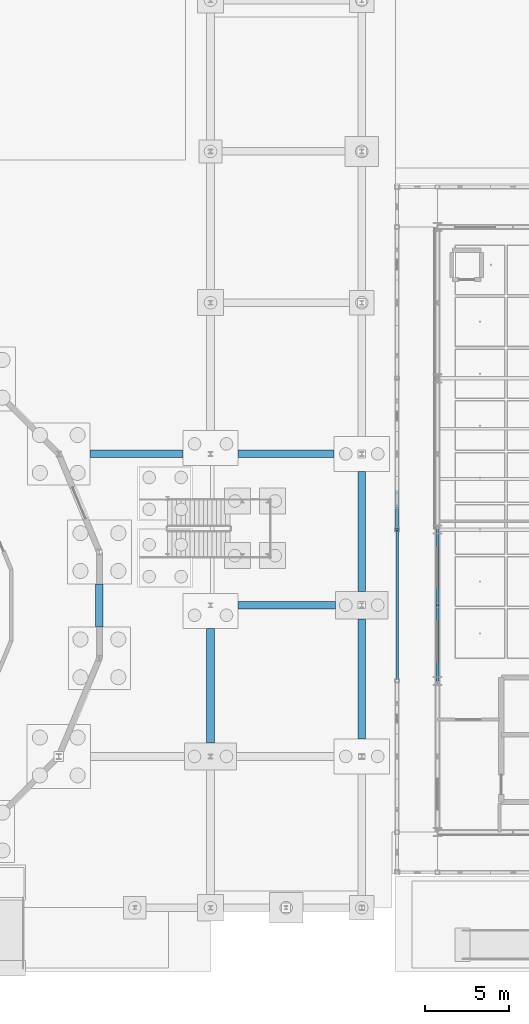
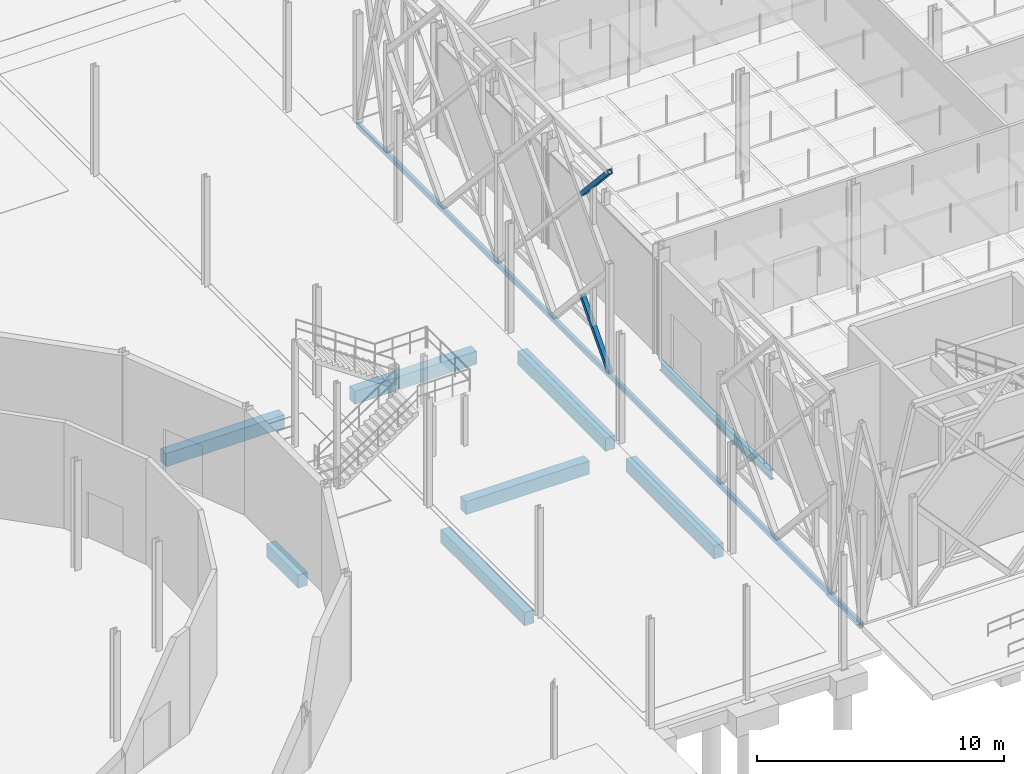
# One storey, part 30 of 180: 10 beams, 2 members.
"""IFC4 building model written with IfcOpenShell, lengths in metres."""

import ifcopenshell
import ifcopenshell.guid

model = None  # the IFC model being written
_history = None  # IfcOwnerHistory: only IFC2X3 demands one
_inside = {}  # id of a spatial element -> (the spatial element, [elements in it])
_under = {}  # id of a project, library or spatial element -> (it, [spatial elements below it])
_declared = {}  # id of a project -> (the project, [libraries it declares])
_typed = {}  # id of a type object -> (the type object, [elements of that type])
_made_of = {}  # id of a material, layer set ... -> (it, [elements and type objects made of it])


def new_model(schema):
    """Start an empty IFC model of exactly this schema.

    Asked for "IFC4X3", IfcOpenShell would pick the latest addendum, in which some entities
    have other attributes; the version numbers below select the first issue.
    IFC2X3 requires an IfcOwnerHistory on every rooted entity: one is made here for all.
    """
    global model, _history
    if schema == "IFC4X3":
        model = ifcopenshell.file(schema_version=(4, 3, 0, 0))
    else:
        model = ifcopenshell.file(schema=schema)
    _inside.clear()
    _under.clear()
    _declared.clear()
    _typed.clear()
    _made_of.clear()
    _history = None
    if model.schema == "IFC2X3":
        org = make("IfcOrganization", Name="unknown")
        user = make(
            "IfcPersonAndOrganization",
            ThePerson=make("IfcPerson", FamilyName="unknown"),
            TheOrganization=org,
        )
        app = make(
            "IfcApplication",
            ApplicationDeveloper=org,
            Version="unknown",
            ApplicationFullName="unknown",
            ApplicationIdentifier="unknown",
        )
        _history = make(
            "IfcOwnerHistory",
            OwningUser=user,
            OwningApplication=app,
            ChangeAction="ADDED",
            CreationDate=0,
        )
    return model


def make(cls, **values):
    """One entity of the class cls with the attributes given. An attribute that is None is left unset."""
    return model.create_entity(
        cls, **{name: value for name, value in values.items() if value is not None}
    )


def rooted(cls, **values):
    """An entity with a GlobalId (a new one), such as an element, a storey or a relation."""
    return make(cls, GlobalId=ifcopenshell.guid.new(), OwnerHistory=_history, **values)


def si_unit(unit_type, name, prefix=None):
    """IfcSIUnit, for example si_unit("LENGTHUNIT", "METRE", prefix="MILLI")."""
    return make("IfcSIUnit", UnitType=unit_type, Prefix=prefix, Name=name)


def assignment(units):
    """IfcUnitAssignment: the units of a project."""
    return None if units is None else make("IfcUnitAssignment", Units=units)


def point(xyz):
    """IfcCartesianPoint."""
    return None if xyz is None else make("IfcCartesianPoint", Coordinates=xyz)


def direction(xyz):
    """IfcDirection."""
    return None if xyz is None else make("IfcDirection", DirectionRatios=xyz)


def frame(location, z_axis=None, x_axis=None):
    """IfcAxis2Placement3D, a coordinate frame: its origin and axes. An axis left out is left unset."""
    return make(
        "IfcAxis2Placement3D",
        Location=point(location),
        Axis=direction(z_axis),
        RefDirection=direction(x_axis),
    )


def frame_2d(location, x_axis=None):
    """IfcAxis2Placement2D, a coordinate frame in the plane: its origin and x axis."""
    return make(
        "IfcAxis2Placement2D", Location=point(location), RefDirection=direction(x_axis)
    )


def origin():
    """The frame at (0, 0, 0) with its axes left unset."""
    return frame((0.0, 0.0, 0.0))


def origin_2d():
    """The frame at (0, 0) in the plane with its x axis left unset."""
    return frame_2d((0.0, 0.0))


def place(relative_to, where):
    """IfcLocalPlacement: puts the frame where relative to a parent placement (None: the world)."""
    return make(
        "IfcLocalPlacement", PlacementRelTo=relative_to, RelativePlacement=where
    )


def context(
    kind, dimensions, precision=None, world=None, true_north=None, identifier=None
):
    """IfcGeometricRepresentationContext, for example the 3D "Model" context."""
    return make(
        "IfcGeometricRepresentationContext",
        ContextIdentifier=identifier,
        ContextType=kind,
        CoordinateSpaceDimension=dimensions,
        Precision=precision,
        WorldCoordinateSystem=world,
        TrueNorth=true_north,
    )


def subcontext(parent, identifier, kind, view, scale=None):
    """IfcGeometricRepresentationSubContext, for example "Body" below "Model"."""
    return make(
        "IfcGeometricRepresentationSubContext",
        ContextIdentifier=identifier,
        ContextType=kind,
        ParentContext=parent,
        TargetScale=scale,
        TargetView=view,
    )


def project(units=None, contexts=None):
    """IfcProject with its units and contexts."""
    return rooted(
        "IfcProject",
        Name="project",
        RepresentationContexts=contexts,
        UnitsInContext=assignment(units),
    )


def spatial(cls, under=None, at=None, **own):
    """A site, building, storey or space (cls), placed at a placement, below another one or the project."""
    s = rooted(cls, ObjectPlacement=at, **own)
    if under is not None:
        _under.setdefault(under.id(), (under, []))[1].append(s)
    return s


def profile(cls, at=None, kind="AREA", **sizes):
    """A parametric profile (cls). Its sizes go by their IFC names, for example OverallWidth=200.0."""
    return make(cls, ProfileType=kind, Position=at, **sizes)


def rectangle(**sizes):
    """IfcRectangleProfileDef."""
    return profile("IfcRectangleProfileDef", **sizes)


def hollow_rectangle(**sizes):
    """IfcRectangleHollowProfileDef."""
    return profile("IfcRectangleHollowProfileDef", **sizes)


def i_section(**sizes):
    """IfcIShapeProfileDef."""
    return profile("IfcIShapeProfileDef", **sizes)


def extrude(swept, where, along, depth):
    """IfcExtrudedAreaSolid: the profile swept, set in the frame where, extruded along a direction by depth."""
    return make(
        "IfcExtrudedAreaSolid",
        SweptArea=swept,
        Position=where,
        ExtrudedDirection=direction(along),
        Depth=depth,
    )


def shape(context_of_items, identifier, shape_type, items):
    """IfcShapeRepresentation: the items that make up one representation, for example the "Body"."""
    return make(
        "IfcShapeRepresentation",
        ContextOfItems=context_of_items,
        RepresentationIdentifier=identifier,
        RepresentationType=shape_type,
        Items=items,
    )


def material(Name=None, Category=None):
    """IfcMaterial."""
    return make("IfcMaterial", Name=Name, Category=Category)


def material_profile(
    of_material, cross_section, Name=None, Category=None, Priority=None
):
    """IfcMaterialProfile: a cross section and its material."""
    return make(
        "IfcMaterialProfile",
        Name=Name,
        Material=of_material,
        Profile=cross_section,
        Priority=Priority,
        Category=Category,
    )


def profile_set(profiles, Name=None, composite=None):
    """IfcMaterialProfileSet."""
    return make(
        "IfcMaterialProfileSet",
        Name=Name,
        MaterialProfiles=profiles,
        CompositeProfile=composite,
    )


def made_of(thing, what):
    """Note that an element or type object is made of a material, layer set ...; save() writes the relation."""
    if what is not None:
        _made_of.setdefault(what.id(), (what, []))[1].append(thing)
    return thing


def type_object(cls, material=None, **own):
    """A type object (cls), such as IfcWallType, which elements share."""
    return made_of(rooted(cls, **own), material)


def element(
    cls,
    number,
    at=None,
    inside=None,
    cuts=None,
    type_object=None,
    material=None,
    context=None,
    identifier="Body",
    shape_type=None,
    held_by="IfcProductDefinitionShape",
    body=None,
    shapes=None,
    **own,
):
    """One element of the class cls, such as IfcWall. Its Tag is "e" and its number.

    at: its placement. inside: the storey or other place that contains it. cuts: it is an
    opening in that element (IfcRelVoidsElement). A single representation is given by context,
    identifier, shape_type and body (its items); several are given by shapes. held_by: the class
    of the entity that holds the representations. save() writes the other relations.
    """
    e = rooted(cls, Tag="e%d" % number, ObjectPlacement=at, **own)
    if body is not None:
        shapes = [shape(context, identifier, shape_type, body)]
    if shapes is not None:
        e.Representation = make(held_by, Representations=shapes)
    if inside is not None:
        _inside.setdefault(inside.id(), (inside, []))[1].append(e)
    if cuts is not None:
        rooted(
            "IfcRelVoidsElement", RelatingBuildingElement=cuts, RelatedOpeningElement=e
        )
    if type_object is not None:
        _typed.setdefault(type_object.id(), (type_object, []))[1].append(e)
    return made_of(e, material)


def aggregate(whole, parts):
    """IfcRelAggregates: a whole, such as a stair, and the parts it consists of."""
    return rooted("IfcRelAggregates", RelatingObject=whole, RelatedObjects=parts)


def save(model, path):
    """Write the relations noted so far, then the file.

    IfcRelAggregates (storeys below a building ...), IfcRelContainedInSpatialStructure (elements
    in a storey), IfcRelDefinesByType, IfcRelAssociatesMaterial and IfcRelDeclares: one each for
    every whole, place, type object, material and project.
    """
    for whole, parts in _under.values():
        aggregate(whole, parts)
    for where, things in _inside.values():
        rooted(
            "IfcRelContainedInSpatialStructure",
            RelatedElements=things,
            RelatingStructure=where,
        )
    for kind, things in _typed.values():
        rooted("IfcRelDefinesByType", RelatedObjects=things, RelatingType=kind)
    for what, things in _made_of.values():
        rooted("IfcRelAssociatesMaterial", RelatedObjects=things, RelatingMaterial=what)
    for by, libraries in _declared.values():
        rooted("IfcRelDeclares", RelatingContext=by, RelatedDefinitions=libraries)
    model.write(path)


model = new_model("IFC4")

# Units and contexts
model_context = context("Model", 3, precision=1e-05, world=origin(), true_north=direction((0.0, 1.0)))
body_context = subcontext(model_context, "Body", "Model", "MODEL_VIEW")
ifc_project = project(units=[si_unit("LENGTHUNIT", "METRE"), si_unit("AREAUNIT", "SQUARE_METRE"), si_unit("VOLUMEUNIT", "CUBIC_METRE"), si_unit("PLANEANGLEUNIT", "RADIAN"), si_unit("MASSUNIT", "GRAM", prefix="KILO"), si_unit("THERMODYNAMICTEMPERATUREUNIT", "KELVIN"), si_unit("POWERUNIT", "WATT")], contexts=[model_context])

# Site, building, storey
site_placement = place(None, origin())
site = spatial("IfcSite", under=ifc_project, at=site_placement, CompositionType="ELEMENT")
building_placement = place(site_placement, origin())
building = spatial("IfcBuilding", under=site, at=building_placement, Name="Tallowbark Science Centre", CompositionType="ELEMENT")
storey_placement = place(building_placement, origin())
storey = spatial("IfcBuildingStorey", under=building, at=storey_placement, Name="L00", CompositionType="ELEMENT", Elevation=0.0)

# Beams
ifc_material_1 = material(Name="Concrete Grade N40 (40 MPa)", Category="concrete")
ifc_material_profile_1 = material_profile(ifc_material_1, rectangle(XDim=0.449951171875, YDim=0.64990234375, at=origin_2d()), Name="RC450x650")
ifc_profile_set_1 = profile_set([ifc_material_profile_1], Name="Concrete Grade N40 (40 MPa)")
beam_type_1 = type_object("IfcBeamType", Name="BM-GB2-N40", PredefinedType="BEAM", material=ifc_profile_set_1)
beam_1_placement = place(storey_placement, frame((37.81982421875, 27.000244140625, -0.5849609375), z_axis=(1.0, 0.0, 0.0), x_axis=(0.0, 1.0, 0.0)))
element("IfcBeam", 1, at=beam_1_placement, inside=storey, type_object=beam_type_1, Name="Ground Tie Beam GBT-X-237", PredefinedType="BEAM", context=body_context, shape_type="SweptSolid", body=[
    extrude(rectangle(XDim=0.449951171875, YDim=0.64990234375, at=origin_2d()), origin(), (0.0, 0.0, 1.0), 5.5302734375),
])
beam_2_placement = place(storey_placement, frame((46.64990234375, 27.0, -0.5849609375), z_axis=(1.0, 0.0, 0.0), x_axis=(0.0, 1.0, 0.0)))
element("IfcBeam", 2, at=beam_2_placement, inside=storey, type_object=beam_type_1, Name="Ground Tie Beam GBT-X-238", PredefinedType="BEAM", context=body_context, shape_type="SweptSolid", body=[
    extrude(rectangle(XDim=0.449951171875, YDim=0.64990234375, at=origin_2d()), origin(), (0.0, 0.0, 1.0), 5.7001953125),
])
beam_3_placement = place(storey_placement, frame((46.64990234375, 18.0, -0.5849609375), z_axis=(1.0, 0.0, 0.0), x_axis=(0.0, 1.0, 0.0)))
element("IfcBeam", 3, at=beam_3_placement, inside=storey, type_object=beam_type_1, Name="Ground Tie Beam GBT-X-258", PredefinedType="BEAM", context=body_context, shape_type="SweptSolid", body=[
    extrude(rectangle(XDim=0.449951171875, YDim=0.64990234375, at=origin_2d()), origin(), (0.0, 0.0, 1.0), 5.775146484375),
])
beam_4_placement = place(storey_placement, frame((38.388671875, 16.689453125, -0.5849609375), z_axis=(0.0, 1.0, 0.0), x_axis=(-1.0, 0.0, 0.0)))
element("IfcBeam", 4, at=beam_4_placement, inside=storey, type_object=beam_type_1, Name="Ground Tie Beam GBT-Y-300", PredefinedType="BEAM", context=body_context, shape_type="SweptSolid", body=[
    extrude(rectangle(XDim=0.449951171875, YDim=0.64990234375, at=origin_2d()), origin(), (0.0, 0.0, 1.0), 2.571044921875),
])
beam_5_placement = place(storey_placement, frame((45.0, 9.800048828125, -0.5849609375), z_axis=(0.0, 1.0, 0.0), x_axis=(-1.0, 0.0, 0.0)))
element("IfcBeam", 5, at=beam_5_placement, inside=storey, type_object=beam_type_1, Name="Ground Tie Beam GBT-Y-305", PredefinedType="BEAM", context=body_context, shape_type="SweptSolid", body=[
    extrude(rectangle(XDim=0.449951171875, YDim=0.64990234375, at=origin_2d()), origin(), (0.0, 0.0, 1.0), 6.800048828125),
])
for number, where, z_axis, x_axis, name in (
    (6, (54.0, 10.050048828125, -0.5849609375), (0.0, 1.0, 0.0), (-1.0, 0.0, 0.0), "Ground Tie Beam GBT-Y-316"),
    (7, (54.0, 18.824951171875, -0.5849609375), (0.0, 1.0, 0.0), (-1.0, 0.0, 0.0), "Ground Tie Beam GBT-Y-317"),
):
    element("IfcBeam", number, at=place(storey_placement, frame(where, z_axis=z_axis, x_axis=x_axis)), inside=storey, type_object=beam_type_1, Name=name, PredefinedType="BEAM", context=body_context, shape_type="SweptSolid", body=[
        extrude(rectangle(XDim=0.449951171875, YDim=0.64990234375, at=origin_2d()), origin(), (0.0, 0.0, 1.0), 7.125),
    ])

# Members
ifc_material_2 = material(Name="White Architectural Painted Steel Grade C350L0 (350 MPa)", Category="steel")
ifc_material_profile_2 = material_profile(ifc_material_2, hollow_rectangle(XDim=0.199951171875, YDim=0.199951171875, WallThickness=0.009033203125, at=origin_2d()), Name="200x200x9.0SHS")
ifc_profile_set_2 = profile_set([ifc_material_profile_2], Name="White Architectural Painted Steel Grade C350L0 (350 MPa)")
member_type = type_object("IfcMemberType", Name="SCR-STAR139", PredefinedType="BRACE", material=ifc_profile_set_2)
member_1_placement = place(storey_placement, frame((56.10009765625, 22.5, 0.0), z_axis=(0.0, 0.672658262301, 0.739953283768), x_axis=(-1.0, 0.0, 0.0)))
element("IfcMember", 8, at=member_1_placement, inside=storey, type_object=member_type, Name="Star Screen Continuous X-Diagonal D1A W-13", PredefinedType="BRACE", context=body_context, shape_type="SweptSolid", body=[
    extrude(hollow_rectangle(XDim=0.199951171875, YDim=0.199951171875, WallThickness=0.009033203125, at=origin_2d()), origin(), (0.0, 0.0, 1.0), 3.344970703125),
])
member_2_placement = place(storey_placement, frame((56.10009765625, 22.5, 9.89990234375), z_axis=(0.0, 0.672694592231, -0.739920256233), x_axis=(-1.0, 0.0, 0.0)))
element("IfcMember", 9, at=member_2_placement, inside=storey, type_object=member_type, Name="Star Screen Split X-Diagonal D2A W-13", PredefinedType="BRACE", context=body_context, shape_type="SweptSolid", body=[
    extrude(hollow_rectangle(XDim=0.199951171875, YDim=0.199951171875, WallThickness=0.009033203125, at=origin_2d()), origin(), (0.0, 0.0, 1.0), 3.3447265625),
])

# Beams
ifc_material_profile_3 = material_profile(ifc_material_2, hollow_rectangle(XDim=0.14990234375, YDim=0.25, WallThickness=0.009033203125, at=origin_2d()), Name="250x150x9.0RHS")
ifc_profile_set_3 = profile_set([ifc_material_profile_3], Name="White Architectural Painted Steel Grade C350L0 (350 MPa)")
beam_type_2 = type_object("IfcBeamType", Name="SPN-RHS250", PredefinedType="SPANDREL", material=ifc_profile_set_3)
beam_6_placement = place(storey_placement, frame((56.10009765625, 2.10009765625, -0.14990234375), z_axis=(0.0, 1.0, 0.0), x_axis=(-1.0, 0.0, 0.0)))
element("IfcBeam", 10, at=beam_6_placement, inside=storey, type_object=beam_type_2, Name="Star Screen Perimeter Ring Beam W-L00", PredefinedType="SPANDREL", context=body_context, shape_type="SweptSolid", body=[
    extrude(hollow_rectangle(XDim=0.14990234375, YDim=0.25, WallThickness=0.009033203125, at=origin_2d()), origin(), (0.0, 0.0, 1.0), 40.7998046875),
])
ifc_material_3 = material(Name="Structural Steel Grade 300PLUS (300 MPa)", Category="steel")
ifc_material_profile_4 = material_profile(ifc_material_3, i_section(OverallWidth=0.18994140625, OverallDepth=0.453857421875, WebThickness=0.008544921875, FlangeThickness=0.0126953125, FilletRadius=0.011474609375, at=origin_2d()), Name="460UB67.1")
ifc_profile_set_4 = profile_set([ifc_material_profile_4], Name="Structural Steel Grade 300PLUS (300 MPa)")
beam_type_3 = type_object("IfcBeamType", Name="SPN-UB460", PredefinedType="SPANDREL", material=ifc_profile_set_4)
for number, where, z_axis, x_axis, name in (
    (11, (58.5, 13.5, -0.491943359375), (0.0, 1.0, 0.0), (-1.0, 0.0, 0.0), "Primary Girder GRDY-L00-585-135-180"),
    (12, (58.5, 18.0, -0.491943359375), (0.0, 1.0, 0.0), (-1.0, 0.0, 0.0), "Primary Girder GRDY-L00-585-180-225"),
):
    element("IfcBeam", number, at=place(storey_placement, frame(where, z_axis=z_axis, x_axis=x_axis)), inside=storey, type_object=beam_type_3, Name=name, PredefinedType="SPANDREL", context=body_context, shape_type="SweptSolid", body=[
        extrude(i_section(OverallWidth=0.18994140625, OverallDepth=0.453857421875, WebThickness=0.008544921875, FlangeThickness=0.0126953125, FilletRadius=0.011474609375, at=origin_2d()), origin(), (0.0, 0.0, 1.0), 4.5),
    ])

save(model, "model.ifc")
